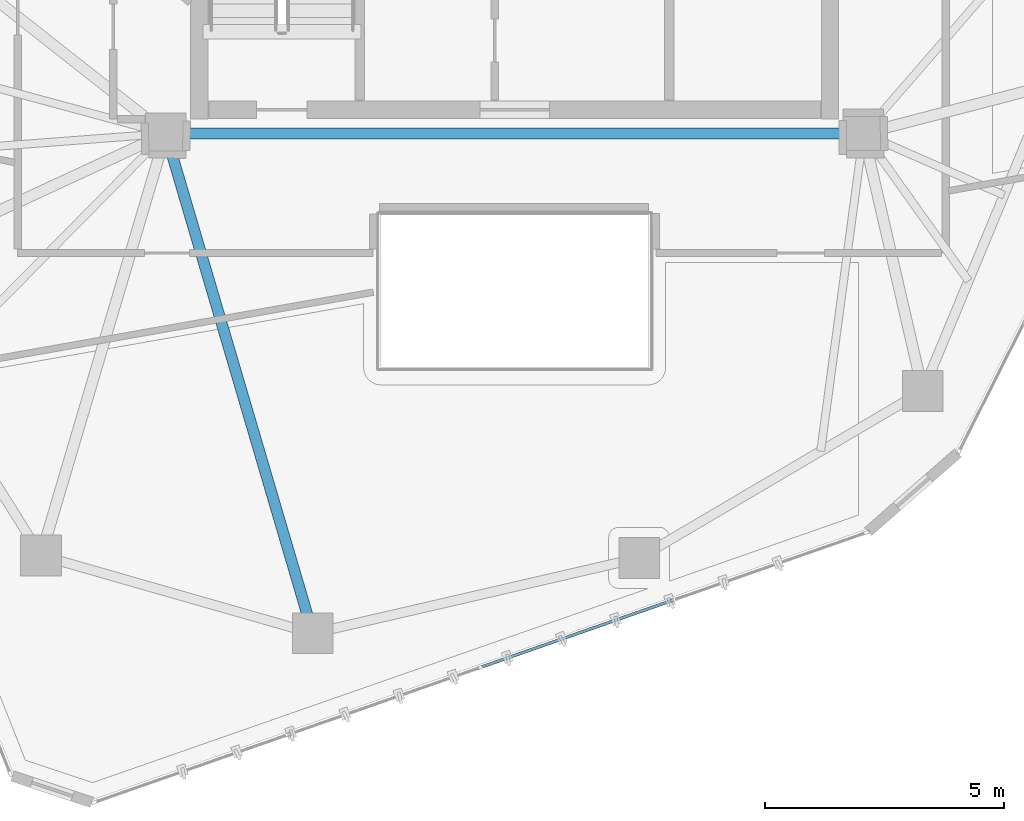
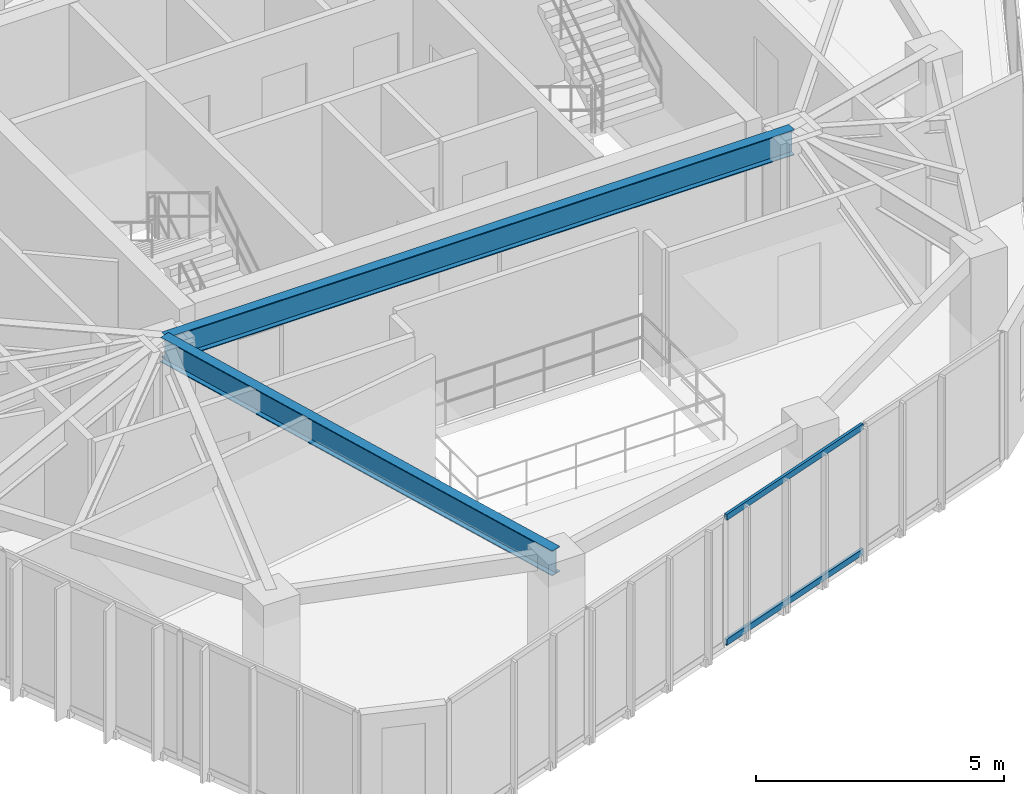
# One storey, part 5 of 20: 2 beams, 2 members, 1 element without a shape of its own.
"""IFC4 building model written with IfcOpenShell, lengths in metres."""

from ifc_helpers import new_model, si_unit, direction, frame, origin, origin_2d, place, context, subcontext, project, spatial, hollow_rectangle, i_section, extrude, source, transform, mapped, material, layer, layer_set, material_profile, profile_set, type_object, type_shapes, element, aggregate, save


model = new_model("IFC4")

# Units and contexts
model_context = context("Model", 3, precision=1e-05, world=origin(), true_north=direction((0.0, 1.0)))
body_context = subcontext(model_context, "Body", "Model", "MODEL_VIEW")
ifc_project = project(units=[si_unit("LENGTHUNIT", "METRE"), si_unit("AREAUNIT", "SQUARE_METRE"), si_unit("VOLUMEUNIT", "CUBIC_METRE"), si_unit("PLANEANGLEUNIT", "RADIAN"), si_unit("MASSUNIT", "GRAM", prefix="KILO")], contexts=[model_context])

# Site, building, storey
site_placement = place(None, origin())
site = spatial("IfcSite", under=ifc_project, at=site_placement, CompositionType="ELEMENT")
building_placement = place(site_placement, origin())
building = spatial("IfcBuilding", under=site, at=building_placement, Name="Talar Marvaseh", CompositionType="ELEMENT")
storey_placement = place(building_placement, frame((0.0, 0.0, 285.0)))
storey = spatial("IfcBuildingStorey", under=building, at=storey_placement, Name="L76", CompositionType="ELEMENT", Elevation=285.0)

# Beams
ifc_material_1 = material(Name="Steel S355", Category="steel")
ifc_material_profile_1 = material_profile(ifc_material_1, i_section(OverallWidth=0.22998046875, OverallDepth=0.616943359375, WebThickness=0.01318359375, FlangeThickness=0.022216796875, at=origin_2d()), Name="W610x140")
ifc_profile_set_1 = profile_set([ifc_material_profile_1], Name="Steel S355")
beam_type = type_object("IfcBeamType", Name="Zone 4 Radial Floor Girder W610x140", PredefinedType="BEAM", material=ifc_profile_set_1)
beam_1_placement = place(storey_placement, frame((18.699951171875, 25.5, 2.83154296875), z_axis=(1.0, 0.0, 0.0), x_axis=(0.0, 1.0, 0.0)))
element("IfcBeam", 1, at=beam_1_placement, inside=storey, type_object=beam_type, Name="L76 Zone 4 Radial Floor Girder W610x140", PredefinedType="BEAM", context=body_context, shape_type="SweptSolid", body=[
    extrude(i_section(OverallWidth=0.22998046875, OverallDepth=0.616943359375, WebThickness=0.01318359375, FlangeThickness=0.022216796875, at=origin_2d()), origin(), (0.0, 0.0, 1.0), 14.60009765625),
])
beam_2_placement = place(storey_placement, frame((21.77587890625, 15.0400390625, 2.83154296875), z_axis=(-0.28212146763, 0.959378693479, 0.0), x_axis=(-0.959378693479, -0.28212146763, 0.0)))
element("IfcBeam", 2, at=beam_2_placement, inside=storey, type_object=beam_type, Name="L76 Zone 4 Radial Floor Girder W610x140", PredefinedType="BEAM", context=body_context, shape_type="SweptSolid", body=[
    extrude(i_section(OverallWidth=0.22998046875, OverallDepth=0.616943359375, WebThickness=0.01318359375, FlangeThickness=0.022216796875, at=origin_2d()), origin(), (0.0, 0.0, 1.0), 10.90283203125),
])

# Curtain wall, members
ifc_material_2 = material(Name="Architectural Aluminium", Category="aluminium")
ifc_layer = layer(ifc_material_2, 0.179931640625)
ifc_layer_set = layer_set([ifc_layer], Name="Architectural Aluminium")
curtain_wall_type = type_object("IfcCurtainWallType", Name="Unitised High-Wind Sky Curtain Wall Z4", PredefinedType="NOTDEFINED", material=ifc_layer_set)
curtain_wall_placement = place(storey_placement, origin())
curtain_wall = element("IfcCurtainWall", 3, at=curtain_wall_placement, inside=storey, type_object=curtain_wall_type, Name="L76 Unitised High-Wind Sky Curtain Wall Z4", PredefinedType="NOTDEFINED")
ifc_material_profile_2 = material_profile(ifc_material_2, hollow_rectangle(XDim=0.06494140625, YDim=0.14990234375, WallThickness=0.00390625, at=origin_2d()), Name="RHS150x65x4")
ifc_profile_set_2 = profile_set([ifc_material_profile_2], Name="Architectural Aluminium")
member_type = type_object("IfcMemberType", Name="Unitised Curtain Wall Slim Transom RHS150x65x4", PredefinedType="USERDEFINED", material=ifc_profile_set_2)
shared_shape = source(origin(), body_context, "Body", "SweptSolid", [
    extrude(hollow_rectangle(XDim=0.06494140625, YDim=0.14990234375, WallThickness=0.00390625, at=origin_2d()), origin(), (0.0, 0.0, 1.0), 4.221435546875),
])
type_shapes(member_type, [shared_shape])
member_1_placement = place(storey_placement, frame((29.30126953125, 15.73046875, 0.032470703125), z_axis=(-0.944039447595, -0.329832565682, 0.0), x_axis=(0.329832565682, -0.944039447595, 0.0)))
member_1 = element("IfcMember", 4, at=member_1_placement, type_object=member_type, Name="CW-Z4 transom 2.1", ObjectType="TRANSOM", PredefinedType="USERDEFINED", context=body_context, shape_type="MappedRepresentation", body=[
    mapped(shared_shape, transform((0.0, 0.0, 0.0), x_axis=(1.0, 0.0, 0.0), y_axis=(0.0, 1.0, 0.0), z_axis=(0.0, 0.0, 1.0), scale=1.0)),
])
member_2_placement = place(storey_placement, frame((29.30126953125, 15.73046875, 3.107421875), z_axis=(-0.944039447595, -0.329832565682, 0.0), x_axis=(0.329832565682, -0.944039447595, 0.0)))
member_2 = element("IfcMember", 5, at=member_2_placement, type_object=member_type, Name="CW-Z4 transom 2.2", ObjectType="TRANSOM", PredefinedType="USERDEFINED", context=body_context, shape_type="MappedRepresentation", body=[
    mapped(shared_shape, transform((0.0, 0.0, 0.0), x_axis=(1.0, 0.0, 0.0), y_axis=(0.0, 1.0, 0.0), z_axis=(0.0, 0.0, 1.0), scale=1.0)),
])
aggregate(curtain_wall, [member_1, member_2])

save(model, "model.ifc")
